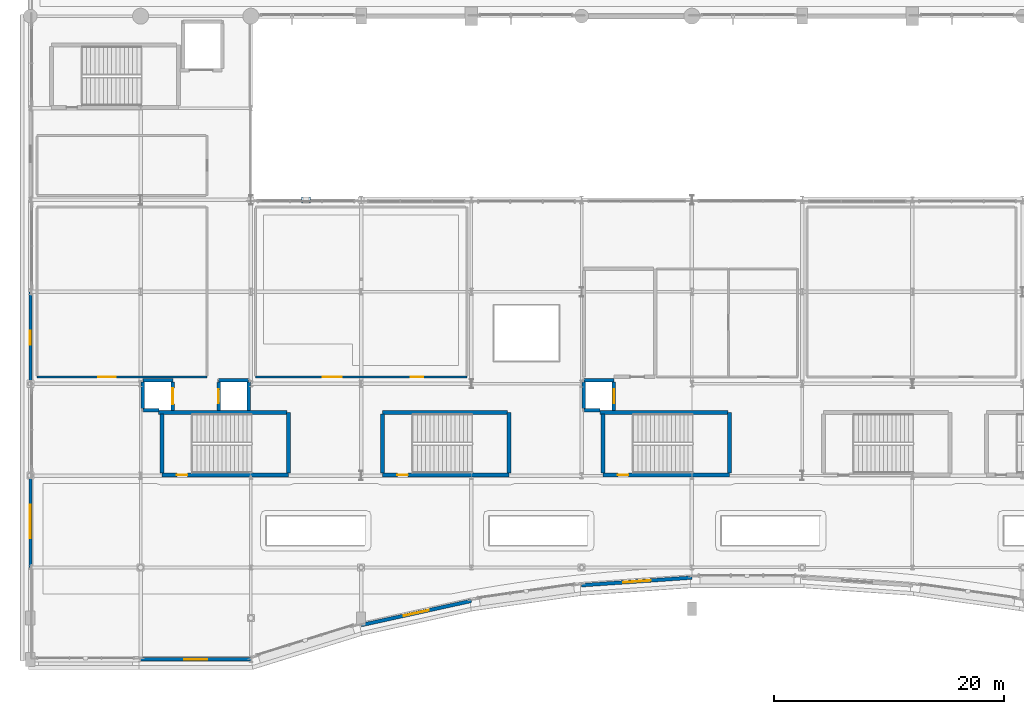
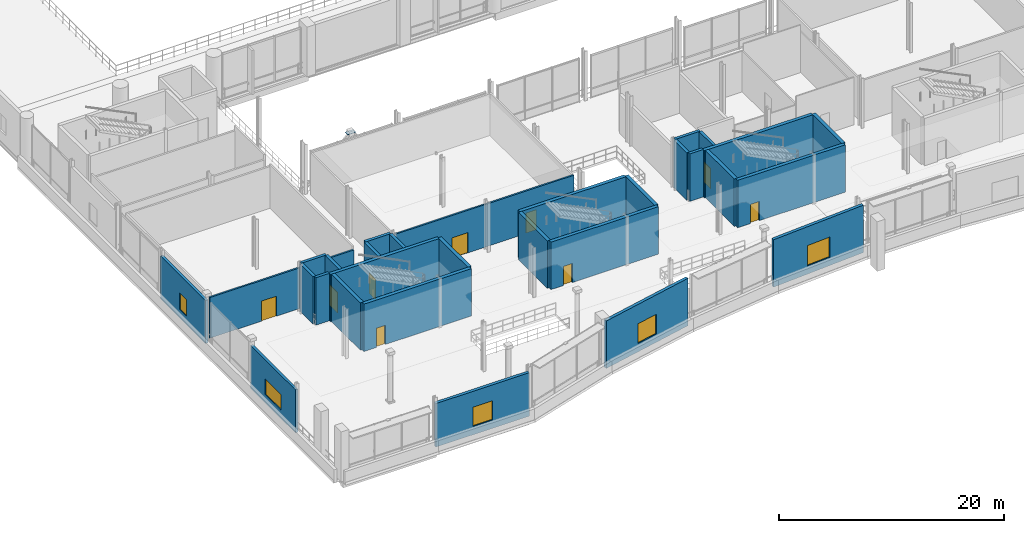
# One storey, part 75 of 129: 30 walls, 9 doors, 5 windows, 1 plate, 14 openings.
"""IFC4 building model written with IfcOpenShell, lengths in metres."""

from ifc_helpers import new_model, si_unit, direction, frame, frame_2d, origin, origin_2d, place, context, subcontext, project, spatial, rectangle, extrude, material, layer, layer_set, type_object, element, fill, save


model = new_model("IFC4")

# Units and contexts
model_context = context("Model", 3, precision=1e-05, world=origin(), true_north=direction((0.0, 1.0)))
body_context = subcontext(model_context, "Body", "Model", "MODEL_VIEW")
ifc_project = project(units=[si_unit("LENGTHUNIT", "METRE"), si_unit("AREAUNIT", "SQUARE_METRE"), si_unit("VOLUMEUNIT", "CUBIC_METRE"), si_unit("PLANEANGLEUNIT", "RADIAN"), si_unit("MASSUNIT", "GRAM", prefix="KILO")], contexts=[model_context])

# Site, building, storey
site_placement = place(None, origin())
site = spatial("IfcSite", under=ifc_project, at=site_placement, CompositionType="ELEMENT")
building_placement = place(site_placement, origin())
building = spatial("IfcBuilding", under=site, at=building_placement, Name="Danafjord Basin Convention Centre", CompositionType="ELEMENT")
storey_placement = place(building_placement, frame((0.0, 0.0, 6.0)))
storey = spatial("IfcBuildingStorey", under=building, at=storey_placement, Name="L01", CompositionType="ELEMENT", Elevation=6.0)

# Plate
ifc_material_1 = material(Name="Steel S355", Category="steel")
ifc_layer_1 = layer(ifc_material_1, 0.030029296875)
ifc_layer_set_1 = layer_set([ifc_layer_1], Name="Steel S355")
plate_type = type_object("IfcPlateType", Name="PLT-TN-30", PredefinedType="SHEET", material=ifc_layer_set_1)
plate_placement = place(storey_placement, frame((24.0, 40.0, 4.78515625), z_axis=(0.0, 0.0, 1.0), x_axis=(1.0, 0.0, 0.0)))
element("IfcPlate", 1, at=plate_placement, inside=storey, type_object=plate_type, Name="L01 chevron apex gusset plate", PredefinedType="SHEET", context=body_context, shape_type="SweptSolid", body=[
    extrude(rectangle(XDim=0.800048828125, YDim=0.5, at=origin_2d()), origin(), (0.0, 0.0, 1.0), 0.030029296875),
])

# Walls
ifc_material_2 = material(Name="Concrete C40/50", Category="concrete")
ifc_layer_2 = layer(ifc_material_2, 0.300048828125)
ifc_layer_set_2 = layer_set([ifc_layer_2], Name="Concrete C40/50")
wall_type_1 = type_object("IfcWallType", Name="WALL-CW-CORE300", PredefinedType="SHEAR", material=ifc_layer_set_2)
wall_1_placement = place(storey_placement, frame((12.39990234375, 24.300048828125, 0.0), z_axis=(0.0, 0.0, 1.0), x_axis=(-1.0, 0.0, 0.0)))
element("IfcWall", 2, at=wall_1_placement, inside=storey, type_object=wall_type_1, Name="Lift LF-FF01 shaft shear wall", PredefinedType="SHEAR", context=body_context, shape_type="SweptSolid", body=[
    extrude(rectangle(XDim=2.599853515625, YDim=0.300048828125, at=frame_2d((1.2998046875, 0.0))), origin(), (0.0, 0.0, 1.0), 5.14990234375),
])
wall_2_placement = place(storey_placement, frame((9.800048828125, 21.699951171875, 0.0), z_axis=(0.0, 0.0, 1.0), x_axis=(1.0, 0.0, 0.0)))
element("IfcWall", 3, at=wall_2_placement, inside=storey, type_object=wall_type_1, Name="Lift LF-FF01 shaft shear wall", PredefinedType="SHEAR", context=body_context, shape_type="SweptSolid", body=[
    extrude(rectangle(XDim=1.39990234375, YDim=0.300048828125, at=frame_2d((0.699951171875, 0.0))), origin(), (0.0, 0.0, 1.0), 5.14990234375),
])

# Wall, opening, door
wall_3_placement = place(storey_placement, frame((12.39990234375, 21.6650390625, 0.0), z_axis=(0.0, 0.0, 1.0), x_axis=(0.0, 1.0, 0.0)))
wall_3 = element("IfcWall", 4, at=wall_3_placement, inside=storey, type_object=wall_type_1, Name="Lift LF-FF01 shaft shear wall", PredefinedType="SHEAR", context=body_context, shape_type="SweptSolid", body=[
    extrude(rectangle(XDim=2.5, YDim=0.300048828125, at=frame_2d((1.25, 0.0))), origin(), (0.0, 0.0, 1.0), 5.14990234375),
])
opening_1_placement = place(wall_3_placement, frame((0.550048828125, 0.0, 0.0)))
opening_1 = element("IfcOpeningElement", 5, at=opening_1_placement, cuts=wall_3, Name="Opening LD-F01", PredefinedType="OPENING", context=body_context, shape_type="SweptSolid", body=[
    extrude(rectangle(XDim=1.39990234375, YDim=2.260009765625, at=frame_2d((0.699951171875, 1.1298828125))), frame((0.0, 0.159912109375, 0.0), z_axis=(0.0, -1.0, 0.0), x_axis=(1.0, 0.0, 0.0)), (0.0, 0.0, 1.0), 0.320068359375),
])
ifc_material_3 = material(Name="Brushed stainless steel and acoustic laminated glass", Category="steel")
door_type_1 = type_object("IfcDoorType", Name="DOOR-LD-F01", OperationType="DOUBLE_DOOR_SLIDING", PredefinedType="DOOR", material=ifc_material_3)
door_1_placement = place(opening_1_placement, origin())
door_1 = element("IfcDoor", 6, at=door_1_placement, inside=storey, type_object=door_type_1, Name="Lift LF-FF01 L01 Landing Door", OperationType="DOUBLE_DOOR_SLIDING", OverallHeight=2.260009765625, OverallWidth=1.39990234375, PredefinedType="DOOR", context=body_context, shape_type="SweptSolid", body=[
    extrude(rectangle(XDim=1.39990234375, YDim=2.260009765625, at=frame_2d((0.699951171875, 1.1298828125))), frame((0.0, 0.02490234375, 0.0), z_axis=(0.0, -1.0, 0.0), x_axis=(1.0, 0.0, 0.0)), (0.0, 0.0, 1.0), 0.050048828125),
])
fill(opening_1, door_1)

# Walls
wall_4_placement = place(storey_placement, frame((9.800048828125, 24.1650390625, 0.0), z_axis=(0.0, 0.0, 1.0), x_axis=(0.0, -1.0, 0.0)))
element("IfcWall", 7, at=wall_4_placement, inside=storey, type_object=wall_type_1, Name="Lift LF-FF01 shaft shear wall", PredefinedType="SHEAR", context=body_context, shape_type="SweptSolid", body=[
    extrude(rectangle(XDim=2.330078125, YDim=0.300048828125, at=frame_2d((1.1650390625, 0.0))), origin(), (0.0, 0.0, 1.0), 5.14990234375),
])
wall_5_placement = place(storey_placement, frame((19.0, 24.300048828125, 0.0), z_axis=(0.0, 0.0, 1.0), x_axis=(-1.0, 0.0, 0.0)))
element("IfcWall", 8, at=wall_5_placement, inside=storey, type_object=wall_type_1, Name="Lift LF-P01 shaft shear wall", PredefinedType="SHEAR", context=body_context, shape_type="SweptSolid", body=[
    extrude(rectangle(XDim=2.60009765625, YDim=0.300048828125, at=frame_2d((1.300048828125, 0.0))), origin(), (0.0, 0.0, 1.0), 5.14990234375),
])
wall_6_placement = place(storey_placement, frame((19.0, 21.6650390625, 0.0), z_axis=(0.0, 0.0, 1.0), x_axis=(0.0, 1.0, 0.0)))
element("IfcWall", 9, at=wall_6_placement, inside=storey, type_object=wall_type_1, Name="Lift LF-P01 shaft shear wall", PredefinedType="SHEAR", context=body_context, shape_type="SweptSolid", body=[
    extrude(rectangle(XDim=2.5, YDim=0.300048828125, at=frame_2d((1.25, 0.0))), origin(), (0.0, 0.0, 1.0), 5.14990234375),
])

# Wall, opening, door
wall_7_placement = place(storey_placement, frame((16.39990234375, 24.1650390625, 0.0), z_axis=(0.0, 0.0, 1.0), x_axis=(0.0, -1.0, 0.0)))
wall_7 = element("IfcWall", 10, at=wall_7_placement, inside=storey, type_object=wall_type_1, Name="Lift LF-P01 shaft shear wall", PredefinedType="SHEAR", context=body_context, shape_type="SweptSolid", body=[
    extrude(rectangle(XDim=2.5, YDim=0.300048828125, at=frame_2d((1.25, 0.0))), origin(), (0.0, 0.0, 1.0), 5.14990234375),
])
opening_2_placement = place(wall_7_placement, frame((0.64990234375, 0.0, 0.0)))
opening_2 = element("IfcOpeningElement", 11, at=opening_2_placement, cuts=wall_7, Name="Opening LD-P01", PredefinedType="OPENING", context=body_context, shape_type="SweptSolid", body=[
    extrude(rectangle(XDim=1.199951171875, YDim=2.199951171875, at=frame_2d((0.60009765625, 1.10009765625))), frame((0.0, 0.159912109375, 0.0), z_axis=(0.0, -1.0, 0.0), x_axis=(1.0, 0.0, 0.0)), (0.0, 0.0, 1.0), 0.320068359375),
])
door_type_2 = type_object("IfcDoorType", Name="DOOR-LD-P01", OperationType="DOUBLE_DOOR_SLIDING", PredefinedType="DOOR", material=ifc_material_3)
door_2_placement = place(opening_2_placement, origin())
door_2 = element("IfcDoor", 12, at=door_2_placement, inside=storey, type_object=door_type_2, Name="Lift LF-P01 L01 Landing Door", OperationType="DOUBLE_DOOR_SLIDING", OverallHeight=2.199951171875, OverallWidth=1.199951171875, PredefinedType="DOOR", context=body_context, shape_type="SweptSolid", body=[
    extrude(rectangle(XDim=1.199951171875, YDim=2.199951171875, at=frame_2d((0.60009765625, 1.10009765625))), frame((0.0, 0.02490234375, 0.0), z_axis=(0.0, -1.0, 0.0), x_axis=(1.0, 0.0, 0.0)), (0.0, 0.0, 1.0), 0.050048828125),
])
fill(opening_2, door_2)

# Walls
wall_8_placement = place(storey_placement, frame((50.800048828125, 24.300048828125, 0.0), z_axis=(0.0, 0.0, 1.0), x_axis=(-1.0, 0.0, 0.0)))
element("IfcWall", 13, at=wall_8_placement, inside=storey, type_object=wall_type_1, Name="Lift LF-P03 shaft shear wall", PredefinedType="SHEAR", context=body_context, shape_type="SweptSolid", body=[
    extrude(rectangle(XDim=2.60009765625, YDim=0.300048828125, at=frame_2d((1.300048828125, 0.0))), origin(), (0.0, 0.0, 1.0), 5.14990234375),
])
wall_9_placement = place(storey_placement, frame((48.199951171875, 21.699951171875, 0.0), z_axis=(0.0, 0.0, 1.0), x_axis=(1.0, 0.0, 0.0)))
element("IfcWall", 14, at=wall_9_placement, inside=storey, type_object=wall_type_1, Name="Lift LF-P03 shaft shear wall", PredefinedType="SHEAR", context=body_context, shape_type="SweptSolid", body=[
    extrude(rectangle(XDim=1.400146484375, YDim=0.300048828125, at=frame_2d((0.7001953125, 0.0))), origin(), (0.0, 0.0, 1.0), 5.14990234375),
])

# Wall, opening, door
wall_10_placement = place(storey_placement, frame((50.800048828125, 21.6650390625, 0.0), z_axis=(0.0, 0.0, 1.0), x_axis=(0.0, 1.0, 0.0)))
wall_10 = element("IfcWall", 15, at=wall_10_placement, inside=storey, type_object=wall_type_1, Name="Lift LF-P03 shaft shear wall", PredefinedType="SHEAR", context=body_context, shape_type="SweptSolid", body=[
    extrude(rectangle(XDim=2.5, YDim=0.300048828125, at=frame_2d((1.25, 0.0))), origin(), (0.0, 0.0, 1.0), 5.14990234375),
])
opening_3_placement = place(wall_10_placement, frame((0.64990234375, 0.0, 0.0)))
opening_3 = element("IfcOpeningElement", 16, at=opening_3_placement, cuts=wall_10, Name="Opening LD-P01", PredefinedType="OPENING", context=body_context, shape_type="SweptSolid", body=[
    extrude(rectangle(XDim=1.199951171875, YDim=2.199951171875, at=frame_2d((0.60009765625, 1.10009765625))), frame((0.0, 0.159912109375, 0.0), z_axis=(0.0, -1.0, 0.0), x_axis=(1.0, 0.0, 0.0)), (0.0, 0.0, 1.0), 0.320068359375),
])
door_3_placement = place(opening_3_placement, origin())
door_3 = element("IfcDoor", 17, at=door_3_placement, inside=storey, type_object=door_type_2, Name="Lift LF-P03 L01 Landing Door", OperationType="DOUBLE_DOOR_SLIDING", OverallHeight=2.199951171875, OverallWidth=1.199951171875, PredefinedType="DOOR", context=body_context, shape_type="SweptSolid", body=[
    extrude(rectangle(XDim=1.199951171875, YDim=2.199951171875, at=frame_2d((0.60009765625, 1.10009765625))), frame((0.0, 0.02490234375, 0.0), z_axis=(0.0, -1.0, 0.0), x_axis=(1.0, 0.0, 0.0)), (0.0, 0.0, 1.0), 0.050048828125),
])
fill(opening_3, door_3)

# Wall
wall_11_placement = place(storey_placement, frame((48.199951171875, 24.1650390625, 0.0), z_axis=(0.0, 0.0, 1.0), x_axis=(0.0, -1.0, 0.0)))
element("IfcWall", 18, at=wall_11_placement, inside=storey, type_object=wall_type_1, Name="Lift LF-P03 shaft shear wall", PredefinedType="SHEAR", context=body_context, shape_type="SweptSolid", body=[
    extrude(rectangle(XDim=2.330078125, YDim=0.300048828125, at=frame_2d((1.1650390625, 0.0))), origin(), (0.0, 0.0, 1.0), 5.14990234375),
])

# Wall, opening, door
ifc_material_4 = material(Name="Concrete C45/55", Category="concrete")
ifc_layer_3 = layer(ifc_material_4, 0.35009765625)
ifc_layer_set_3 = layer_set([ifc_layer_3], Name="Concrete C45/55")
wall_type_2 = type_object("IfcWallType", Name="WALL-CW-CORE350", PredefinedType="SHEAR", material=ifc_layer_set_3)
wall_12_placement = place(storey_placement, frame((11.449951171875, 16.050048828125, 0.0), z_axis=(0.0, 0.0, 1.0), x_axis=(1.0, 0.0, 0.0)))
wall_12 = element("IfcWall", 19, at=wall_12_placement, inside=storey, type_object=wall_type_2, Name="West Harbour Core Stair 1 core shear wall (south)", PredefinedType="SHEAR", context=body_context, shape_type="SweptSolid", body=[
    extrude(rectangle(XDim=11.0400390625, YDim=0.35009765625, at=frame_2d((5.52001953125, 0.0))), origin(), (0.0, 0.0, 1.0), 5.14990234375),
])
opening_4_placement = place(wall_12_placement, frame((1.31201171875, 0.0, 0.0)))
opening_4 = element("IfcOpeningElement", 20, at=opening_4_placement, cuts=wall_12, Name="Opening FD-S01", PredefinedType="OPENING", context=body_context, shape_type="SweptSolid", body=[
    extrude(rectangle(XDim=0.909912109375, YDim=2.080078125, at=frame_2d((0.455078125, 1.0400390625))), frame((0.0, 0.18505859375, 0.0), z_axis=(0.0, -1.0, 0.0), x_axis=(1.0, 0.0, 0.0)), (0.0, 0.0, 1.0), 0.3701171875),
])
ifc_material_5 = material(Name="Powder-coated steel and Nordic oak", Category="steel")
door_type_3 = type_object("IfcDoorType", Name="DOOR-FD-S01", OperationType="NOTDEFINED", PredefinedType="DOOR", material=ifc_material_5)
door_4_placement = place(opening_4_placement, origin())
door_4 = element("IfcDoor", 21, at=door_4_placement, inside=storey, type_object=door_type_3, Name="West Harbour Core Stair 1 L01 Fire Exit Door", OperationType="SINGLE_SWING_LEFT", OverallHeight=2.080078125, OverallWidth=0.909912109375, PredefinedType="DOOR", context=body_context, shape_type="SweptSolid", body=[
    extrude(rectangle(XDim=0.909912109375, YDim=2.080078125, at=frame_2d((0.455078125, 1.0400390625))), frame((0.0, 0.02490234375, 0.0), z_axis=(0.0, -1.0, 0.0), x_axis=(1.0, 0.0, 0.0)), (0.0, 0.0, 1.0), 0.050048828125),
])
fill(opening_4, door_4)

# Walls
wall_13_placement = place(storey_placement, frame((22.489990234375, 16.2099609375, 0.0), z_axis=(0.0, 0.0, 1.0), x_axis=(0.0, 1.0, 0.0)))
element("IfcWall", 22, at=wall_13_placement, inside=storey, type_object=wall_type_2, Name="West Harbour Core Stair 1 core shear wall (east)", PredefinedType="SHEAR", context=body_context, shape_type="SweptSolid", body=[
    extrude(rectangle(XDim=5.300048828125, YDim=0.35009765625, at=frame_2d((2.64990234375, 0.0))), origin(), (0.0, 0.0, 1.0), 5.14990234375),
])
wall_14_placement = place(storey_placement, frame((22.330078125, 21.510009765625, 0.0), z_axis=(0.0, 0.0, 1.0), x_axis=(-1.0, 0.0, 0.0)))
element("IfcWall", 23, at=wall_14_placement, inside=storey, type_object=wall_type_2, Name="West Harbour Core Stair 1 core shear wall (north)", PredefinedType="SHEAR", context=body_context, shape_type="SweptSolid", body=[
    extrude(rectangle(XDim=11.150146484375, YDim=0.35009765625, at=frame_2d((5.5751953125, 0.0))), origin(), (0.0, 0.0, 1.0), 5.14990234375),
])
wall_15_placement = place(storey_placement, frame((11.449951171875, 21.35009765625, 0.0), z_axis=(0.0, 0.0, 1.0), x_axis=(0.0, -1.0, 0.0)))
element("IfcWall", 24, at=wall_15_placement, inside=storey, type_object=wall_type_2, Name="West Harbour Core Stair 1 core shear wall (west)", PredefinedType="SHEAR", context=body_context, shape_type="SweptSolid", body=[
    extrude(rectangle(XDim=5.14013671875, YDim=0.35009765625, at=frame_2d((2.570068359375, 0.0))), origin(), (0.0, 0.0, 1.0), 5.14990234375),
])

# Wall, opening, door
wall_16_placement = place(storey_placement, frame((49.85009765625, 16.050048828125, 0.0), z_axis=(0.0, 0.0, 1.0), x_axis=(1.0, 0.0, 0.0)))
wall_16 = element("IfcWall", 25, at=wall_16_placement, inside=storey, type_object=wall_type_2, Name="Mid-Arc Meeting Core Stair 1 core shear wall (south)", PredefinedType="SHEAR", context=body_context, shape_type="SweptSolid", body=[
    extrude(rectangle(XDim=11.039794921875, YDim=0.35009765625, at=frame_2d((5.52001953125, 0.0))), origin(), (0.0, 0.0, 1.0), 5.14990234375),
])
opening_5_placement = place(wall_16_placement, frame((1.31201171875, 0.0, 0.0)))
opening_5 = element("IfcOpeningElement", 26, at=opening_5_placement, cuts=wall_16, Name="Opening FD-S01", PredefinedType="OPENING", context=body_context, shape_type="SweptSolid", body=[
    extrude(rectangle(XDim=0.909912109375, YDim=2.080078125, at=frame_2d((0.455078125, 1.0400390625))), frame((0.0, 0.18505859375, 0.0), z_axis=(0.0, -1.0, 0.0), x_axis=(1.0, 0.0, 0.0)), (0.0, 0.0, 1.0), 0.3701171875),
])
door_5_placement = place(opening_5_placement, origin())
door_5 = element("IfcDoor", 27, at=door_5_placement, inside=storey, type_object=door_type_3, Name="Mid-Arc Meeting Core Stair 1 L01 Fire Exit Door", OperationType="SINGLE_SWING_LEFT", OverallHeight=2.080078125, OverallWidth=0.909912109375, PredefinedType="DOOR", context=body_context, shape_type="SweptSolid", body=[
    extrude(rectangle(XDim=0.909912109375, YDim=2.080078125, at=frame_2d((0.455078125, 1.0400390625))), frame((0.0, 0.02490234375, 0.0), z_axis=(0.0, -1.0, 0.0), x_axis=(1.0, 0.0, 0.0)), (0.0, 0.0, 1.0), 0.050048828125),
])
fill(opening_5, door_5)

# Walls
wall_17_placement = place(storey_placement, frame((60.889892578125, 16.2099609375, 0.0), z_axis=(0.0, 0.0, 1.0), x_axis=(0.0, 1.0, 0.0)))
element("IfcWall", 28, at=wall_17_placement, inside=storey, type_object=wall_type_2, Name="Mid-Arc Meeting Core Stair 1 core shear wall (east)", PredefinedType="SHEAR", context=body_context, shape_type="SweptSolid", body=[
    extrude(rectangle(XDim=5.300048828125, YDim=0.35009765625, at=frame_2d((2.64990234375, 0.0))), origin(), (0.0, 0.0, 1.0), 5.14990234375),
])
wall_18_placement = place(storey_placement, frame((60.72998046875, 21.510009765625, 0.0), z_axis=(0.0, 0.0, 1.0), x_axis=(-1.0, 0.0, 0.0)))
element("IfcWall", 29, at=wall_18_placement, inside=storey, type_object=wall_type_2, Name="Mid-Arc Meeting Core Stair 1 core shear wall (north)", PredefinedType="SHEAR", context=body_context, shape_type="SweptSolid", body=[
    extrude(rectangle(XDim=11.14990234375, YDim=0.35009765625, at=frame_2d((5.574951171875, 0.0))), origin(), (0.0, 0.0, 1.0), 5.14990234375),
])
wall_19_placement = place(storey_placement, frame((49.85009765625, 21.35009765625, 0.0), z_axis=(0.0, 0.0, 1.0), x_axis=(0.0, -1.0, 0.0)))
element("IfcWall", 30, at=wall_19_placement, inside=storey, type_object=wall_type_2, Name="Mid-Arc Meeting Core Stair 1 core shear wall (west)", PredefinedType="SHEAR", context=body_context, shape_type="SweptSolid", body=[
    extrude(rectangle(XDim=5.14013671875, YDim=0.35009765625, at=frame_2d((2.570068359375, 0.0))), origin(), (0.0, 0.0, 1.0), 5.14990234375),
])

# Wall, opening, door
wall_20_placement = place(storey_placement, frame((30.64990234375, 16.050048828125, 0.0), z_axis=(0.0, 0.0, 1.0), x_axis=(1.0, 0.0, 0.0)))
wall_20 = element("IfcWall", 31, at=wall_20_placement, inside=storey, type_object=wall_type_2, Name="West Harbour Escape Stair 2 core shear wall (south)", PredefinedType="SHEAR", context=body_context, shape_type="SweptSolid", body=[
    extrude(rectangle(XDim=11.0400390625, YDim=0.35009765625, at=frame_2d((5.52001953125, 0.0))), origin(), (0.0, 0.0, 1.0), 5.14990234375),
])
opening_6_placement = place(wall_20_placement, frame((1.31201171875, 0.0, 0.0)))
opening_6 = element("IfcOpeningElement", 32, at=opening_6_placement, cuts=wall_20, Name="Opening FD-S01", PredefinedType="OPENING", context=body_context, shape_type="SweptSolid", body=[
    extrude(rectangle(XDim=0.909912109375, YDim=2.080078125, at=frame_2d((0.455078125, 1.0400390625))), frame((0.0, 0.18505859375, 0.0), z_axis=(0.0, -1.0, 0.0), x_axis=(1.0, 0.0, 0.0)), (0.0, 0.0, 1.0), 0.3701171875),
])
door_6_placement = place(opening_6_placement, origin())
door_6 = element("IfcDoor", 33, at=door_6_placement, inside=storey, type_object=door_type_3, Name="West Harbour Escape Stair 2 L01 Fire Exit Door", OperationType="SINGLE_SWING_RIGHT", OverallHeight=2.080078125, OverallWidth=0.909912109375, PredefinedType="DOOR", context=body_context, shape_type="SweptSolid", body=[
    extrude(rectangle(XDim=0.909912109375, YDim=2.080078125, at=frame_2d((0.455078125, 1.0400390625))), frame((0.0, 0.02490234375, 0.0), z_axis=(0.0, -1.0, 0.0), x_axis=(1.0, 0.0, 0.0)), (0.0, 0.0, 1.0), 0.050048828125),
])
fill(opening_6, door_6)

# Walls
wall_21_placement = place(storey_placement, frame((41.68994140625, 16.2099609375, 0.0), z_axis=(0.0, 0.0, 1.0), x_axis=(0.0, 1.0, 0.0)))
element("IfcWall", 34, at=wall_21_placement, inside=storey, type_object=wall_type_2, Name="West Harbour Escape Stair 2 core shear wall (east)", PredefinedType="SHEAR", context=body_context, shape_type="SweptSolid", body=[
    extrude(rectangle(XDim=5.300048828125, YDim=0.35009765625, at=frame_2d((2.64990234375, 0.0))), origin(), (0.0, 0.0, 1.0), 5.14990234375),
])
wall_22_placement = place(storey_placement, frame((41.530029296875, 21.510009765625, 0.0), z_axis=(0.0, 0.0, 1.0), x_axis=(-1.0, 0.0, 0.0)))
element("IfcWall", 35, at=wall_22_placement, inside=storey, type_object=wall_type_2, Name="West Harbour Escape Stair 2 core shear wall (north)", PredefinedType="SHEAR", context=body_context, shape_type="SweptSolid", body=[
    extrude(rectangle(XDim=10.880126953125, YDim=0.35009765625, at=frame_2d((5.43994140625, 0.0))), origin(), (0.0, 0.0, 1.0), 5.14990234375),
])
wall_23_placement = place(storey_placement, frame((30.64990234375, 21.35009765625, 0.0), z_axis=(0.0, 0.0, 1.0), x_axis=(0.0, -1.0, 0.0)))
element("IfcWall", 36, at=wall_23_placement, inside=storey, type_object=wall_type_2, Name="West Harbour Escape Stair 2 core shear wall (west)", PredefinedType="SHEAR", context=body_context, shape_type="SweptSolid", body=[
    extrude(rectangle(XDim=5.14013671875, YDim=0.35009765625, at=frame_2d((2.570068359375, 0.0))), origin(), (0.0, 0.0, 1.0), 5.14990234375),
])

# Wall, opening, window
ifc_material_6 = material(Name="Precast concrete C40/50", Category="concrete")
ifc_layer_4 = layer(ifc_material_6, 0.31005859375)
ifc_layer_set_4 = layer_set([ifc_layer_4], Name="Precast concrete C40/50")
wall_type_3 = type_object("IfcWallType", Name="WALL-EW-PC300", PredefinedType="SOLIDWALL", material=ifc_layer_set_4)
wall_24_placement = place(storey_placement, frame((9.60009765625, 0.0, 0.0), z_axis=(0.0, 0.0, 1.0), x_axis=(1.0, 0.0, 0.0)))
wall_24 = element("IfcWall", 37, at=wall_24_placement, inside=storey, type_object=wall_type_3, Name="L01 harbourfront precast facade bay 2", PredefinedType="SOLIDWALL", context=body_context, shape_type="SweptSolid", body=[
    extrude(rectangle(XDim=9.599853515625, YDim=0.31005859375, at=frame_2d((4.7998046875, 0.0))), origin(), (0.0, 0.0, 1.0), 4.719970703125),
])
opening_7_placement = place(wall_24_placement, frame((3.800048828125, 0.0, 0.89990234375)))
opening_7 = element("IfcOpeningElement", 38, at=opening_7_placement, cuts=wall_24, Name="Opening WN-05", PredefinedType="OPENING", context=body_context, shape_type="SweptSolid", body=[
    extrude(rectangle(XDim=2.0, YDim=2.10009765625, at=frame_2d((1.0, 1.050048828125))), frame((0.0, 0.1650390625, 0.0), z_axis=(0.0, -1.0, 0.0), x_axis=(1.0, 0.0, 0.0)), (0.0, 0.0, 1.0), 0.330078125),
])
ifc_material_7 = material(Name="Thermally broken aluminium and triple low-E glass", Category="aluminium")
window_type_1 = type_object("IfcWindowType", Name="WIN-WN-05", PartitioningType="SINGLE_PANEL", PredefinedType="WINDOW", material=ifc_material_7)
window_1_placement = place(opening_7_placement, origin())
window_1 = element("IfcWindow", 39, at=window_1_placement, inside=storey, type_object=window_type_1, Name="L01 harbour window WN-05", OverallHeight=2.10009765625, OverallWidth=2.0, PartitioningType="SINGLE_PANEL", PredefinedType="WINDOW", context=body_context, shape_type="SweptSolid", body=[
    extrude(rectangle(XDim=2.0, YDim=2.10009765625, at=frame_2d((1.0, 1.050048828125))), frame((0.0, 0.030029296875, 0.0), z_axis=(0.0, -1.0, 0.0), x_axis=(1.0, 0.0, 0.0)), (0.0, 0.0, 1.0), 0.06005859375),
])
fill(opening_7, window_1)

wall_25_placement = place(storey_placement, frame((28.800048828125, 2.97998046875, 0.0), z_axis=(0.0, 0.0, 1.0), x_axis=(0.976621632998, 0.214965545983, 0.0)))
wall_25 = element("IfcWall", 40, at=wall_25_placement, inside=storey, type_object=wall_type_3, Name="L01 harbourfront precast facade bay 4", PredefinedType="SOLIDWALL", context=body_context, shape_type="SweptSolid", body=[
    extrude(rectangle(XDim=9.82958984375, YDim=0.31005859375, at=frame_2d((4.914794921875, 0.0))), origin(), (0.0, 0.0, 1.0), 5.14990234375),
])
opening_8_placement = place(wall_25_placement, frame((3.81494140625, 0.0, 0.89990234375)))
opening_8 = element("IfcOpeningElement", 41, at=opening_8_placement, cuts=wall_25, Name="Opening WN-06", PredefinedType="OPENING", context=body_context, shape_type="SweptSolid", body=[
    extrude(rectangle(XDim=2.199951171875, YDim=2.14990234375, at=frame_2d((1.10009765625, 1.074951171875))), frame((0.0, 0.1650390625, 0.0), z_axis=(0.0, -1.0, 0.0), x_axis=(1.0, 0.0, 0.0)), (0.0, 0.0, 1.0), 0.330078125),
])
window_type_2 = type_object("IfcWindowType", Name="WIN-WN-06", PartitioningType="SINGLE_PANEL", PredefinedType="WINDOW", material=ifc_material_7)
window_2_placement = place(opening_8_placement, origin())
window_2 = element("IfcWindow", 42, at=window_2_placement, inside=storey, type_object=window_type_2, Name="L01 harbour window WN-06", OverallHeight=2.14990234375, OverallWidth=2.199951171875, PartitioningType="SINGLE_PANEL", PredefinedType="WINDOW", context=body_context, shape_type="SweptSolid", body=[
    extrude(rectangle(XDim=2.199951171875, YDim=2.14990234375, at=frame_2d((1.10009765625, 1.074951171875))), frame((0.0, 0.030029296875, 0.0), z_axis=(0.0, -1.0, 0.0), x_axis=(1.0, 0.0, 0.0)), (0.0, 0.0, 1.0), 0.06005859375),
])
fill(opening_8, window_2)

wall_26_placement = place(storey_placement, frame((48.0, 6.451904296875, 0.0), z_axis=(0.0, 0.0, 1.0), x_axis=(0.99760914447, 0.069108573052, 0.0)))
wall_26 = element("IfcWall", 43, at=wall_26_placement, inside=storey, type_object=wall_type_3, Name="L01 harbourfront precast facade bay 6", PredefinedType="SOLIDWALL", context=body_context, shape_type="SweptSolid", body=[
    extrude(rectangle(XDim=9.623046875, YDim=0.31005859375, at=frame_2d((4.8115234375, 0.0))), origin(), (0.0, 0.0, 1.0), 5.14990234375),
])
opening_9_placement = place(wall_26_placement, frame((3.612060546875, 0.0, 0.89990234375)))
opening_9 = element("IfcOpeningElement", 44, at=opening_9_placement, cuts=wall_26, Name="Opening WN-07", PredefinedType="OPENING", context=body_context, shape_type="SweptSolid", body=[
    extrude(rectangle(XDim=2.39990234375, YDim=2.199951171875, at=frame_2d((1.199951171875, 1.10009765625))), frame((0.0, 0.1650390625, 0.0), z_axis=(0.0, -1.0, 0.0), x_axis=(1.0, 0.0, 0.0)), (0.0, 0.0, 1.0), 0.330078125),
])
window_type_3 = type_object("IfcWindowType", Name="WIN-WN-07", PartitioningType="SINGLE_PANEL", PredefinedType="WINDOW", material=ifc_material_7)
window_3_placement = place(opening_9_placement, origin())
window_3 = element("IfcWindow", 45, at=window_3_placement, inside=storey, type_object=window_type_3, Name="L01 harbour window WN-07", OverallHeight=2.199951171875, OverallWidth=2.39990234375, PartitioningType="SINGLE_PANEL", PredefinedType="WINDOW", context=body_context, shape_type="SweptSolid", body=[
    extrude(rectangle(XDim=2.39990234375, YDim=2.199951171875, at=frame_2d((1.199951171875, 1.10009765625))), frame((0.0, 0.030029296875, 0.0), z_axis=(0.0, -1.0, 0.0), x_axis=(1.0, 0.0, 0.0)), (0.0, 0.0, 1.0), 0.06005859375),
])
fill(opening_9, window_3)

ifc_material_8 = material(Name="Concrete C35/45", Category="concrete")
ifc_layer_5 = layer(ifc_material_8, 0.260009765625)
ifc_layer_set_5 = layer_set([ifc_layer_5], Name="Concrete C35/45")
wall_type_4 = type_object("IfcWallType", Name="WALL-EW-STD260", PredefinedType="STANDARD", material=ifc_layer_set_5)
wall_27_placement = place(storey_placement, frame((0.0, 8.0, 0.0), z_axis=(0.0, 0.0, 1.0), x_axis=(0.0, 1.0, 0.0)))
wall_27 = element("IfcWall", 46, at=wall_27_placement, inside=storey, type_object=wall_type_4, Name="L01 W wing facade wall", PredefinedType="STANDARD", context=body_context, shape_type="SweptSolid", body=[
    extrude(rectangle(XDim=8.0, YDim=0.260009765625, at=frame_2d((4.0, 0.0))), origin(), (0.0, 0.0, 1.0), 4.669921875),
])
opening_10_placement = place(wall_27_placement, frame((2.550048828125, 0.0, 0.89990234375)))
opening_10 = element("IfcOpeningElement", 47, at=opening_10_placement, cuts=wall_27, Name="Opening WN-18", PredefinedType="OPENING", context=body_context, shape_type="SweptSolid", body=[
    extrude(rectangle(XDim=2.89990234375, YDim=1.699951171875, at=frame_2d((1.449951171875, 0.85009765625))), frame((0.0, 0.139892578125, 0.0), z_axis=(0.0, -1.0, 0.0), x_axis=(1.0, 0.0, 0.0)), (0.0, 0.0, 1.0), 0.280029296875),
])
window_type_4 = type_object("IfcWindowType", Name="WIN-WN-18", PartitioningType="SINGLE_PANEL", PredefinedType="WINDOW", material=ifc_material_7)
window_4_placement = place(opening_10_placement, origin())
window_4 = element("IfcWindow", 48, at=window_4_placement, inside=storey, type_object=window_type_4, Name="L01 W window WN-18", OverallHeight=1.699951171875, OverallWidth=2.89990234375, PartitioningType="SINGLE_PANEL", PredefinedType="WINDOW", context=body_context, shape_type="SweptSolid", body=[
    extrude(rectangle(XDim=2.89990234375, YDim=1.699951171875, at=frame_2d((1.449951171875, 0.85009765625))), frame((0.0, 0.030029296875, 0.0), z_axis=(0.0, -1.0, 0.0), x_axis=(1.0, 0.0, 0.0)), (0.0, 0.0, 1.0), 0.06005859375),
])
fill(opening_10, window_4)

wall_28_placement = place(storey_placement, frame((0.0, 24.0, 0.0), z_axis=(0.0, 0.0, 1.0), x_axis=(0.0, 1.0, 0.0)))
wall_28 = element("IfcWall", 49, at=wall_28_placement, inside=storey, type_object=wall_type_4, Name="L01 W wing facade wall", PredefinedType="STANDARD", context=body_context, shape_type="SweptSolid", body=[
    extrude(rectangle(XDim=8.0, YDim=0.260009765625, at=frame_2d((4.0, 0.0))), origin(), (0.0, 0.0, 1.0), 4.669921875),
])
opening_11_placement = place(wall_28_placement, frame((3.39990234375, 0.0, 0.89990234375)))
opening_11 = element("IfcOpeningElement", 50, at=opening_11_placement, cuts=wall_28, Name="Opening WN-01", PredefinedType="OPENING", context=body_context, shape_type="SweptSolid", body=[
    extrude(rectangle(XDim=1.199951171875, YDim=1.800048828125, at=frame_2d((0.60009765625, 0.89990234375))), frame((0.0, 0.139892578125, 0.0), z_axis=(0.0, -1.0, 0.0), x_axis=(1.0, 0.0, 0.0)), (0.0, 0.0, 1.0), 0.280029296875),
])
window_type_5 = type_object("IfcWindowType", Name="WIN-WN-01", PartitioningType="SINGLE_PANEL", PredefinedType="WINDOW", material=ifc_material_7)
window_5_placement = place(opening_11_placement, origin())
window_5 = element("IfcWindow", 51, at=window_5_placement, inside=storey, type_object=window_type_5, Name="L01 W window WN-01", OverallHeight=1.800048828125, OverallWidth=1.199951171875, PartitioningType="SINGLE_PANEL", PredefinedType="WINDOW", context=body_context, shape_type="SweptSolid", body=[
    extrude(rectangle(XDim=1.199951171875, YDim=1.800048828125, at=frame_2d((0.60009765625, 0.89990234375))), frame((0.0, 0.030029296875, 0.0), z_axis=(0.0, -1.0, 0.0), x_axis=(1.0, 0.0, 0.0)), (0.0, 0.0, 1.0), 0.06005859375),
])
fill(opening_11, window_5)

# Wall, opening, door
ifc_material_9 = material(Name="Acoustic double-board gypsum stud partition")
ifc_layer_6 = layer(ifc_material_9, 0.175048828125)
ifc_layer_set_6 = layer_set([ifc_layer_6], Name="Acoustic double-board gypsum stud partition")
wall_type_5 = type_object("IfcWallType", Name="WALL-PT-AC175", PredefinedType="PARTITIONING", material=ifc_layer_set_6)
wall_29_placement = place(storey_placement, frame((0.60009765625, 24.60009765625, 0.0), z_axis=(0.0, 0.0, 1.0), x_axis=(1.0, 0.0, 0.0)))
wall_29 = element("IfcWall", 52, at=wall_29_placement, inside=storey, type_object=wall_type_5, Name="Breakout Seminar Room M101 south partition", PredefinedType="PARTITIONING", context=body_context, shape_type="SweptSolid", body=[
    extrude(rectangle(XDim=14.7998046875, YDim=0.175048828125, at=frame_2d((7.39990234375, 0.0))), origin(), (0.0, 0.0, 1.0), 4.419921875),
])
opening_12_placement = place(wall_29_placement, frame((5.2958984375, 0.0, 0.0)))
opening_12 = element("IfcOpeningElement", 53, at=opening_12_placement, cuts=wall_29, Name="Opening FD-D01", PredefinedType="OPENING", context=body_context, shape_type="SweptSolid", body=[
    extrude(rectangle(XDim=1.56005859375, YDim=2.179931640625, at=frame_2d((0.780029296875, 1.08984375))), frame((0.0, 0.097412109375, 0.0), z_axis=(0.0, -1.0, 0.0), x_axis=(1.0, 0.0, 0.0)), (0.0, 0.0, 1.0), 0.195068359375),
])
door_type_4 = type_object("IfcDoorType", Name="DOOR-FD-D01", OperationType="DOUBLE_DOOR_SINGLE_SWING", PredefinedType="DOOR", material=ifc_material_3)
door_7_placement = place(opening_12_placement, origin())
door_7 = element("IfcDoor", 54, at=door_7_placement, inside=storey, type_object=door_type_4, Name="Breakout Seminar Room M101 Entrance Door", OperationType="DOUBLE_DOOR_SINGLE_SWING", OverallHeight=2.179931640625, OverallWidth=1.56005859375, PredefinedType="DOOR", context=body_context, shape_type="SweptSolid", body=[
    extrude(rectangle(XDim=1.56005859375, YDim=2.179931640625, at=frame_2d((0.780029296875, 1.08984375))), frame((0.0, 0.02490234375, 0.0), z_axis=(0.0, -1.0, 0.0), x_axis=(1.0, 0.0, 0.0)), (0.0, 0.0, 1.0), 0.050048828125),
])
fill(opening_12, door_7)

# Wall, openings, doors
wall_30_placement = place(storey_placement, frame((19.60009765625, 24.60009765625, 0.0), z_axis=(0.0, 0.0, 1.0), x_axis=(1.0, 0.0, 0.0)))
wall_30 = element("IfcWall", 55, at=wall_30_placement, inside=storey, type_object=wall_type_5, Name="Breakout Seminar Room M102 south partition", PredefinedType="PARTITIONING", context=body_context, shape_type="SweptSolid", body=[
    extrude(rectangle(XDim=18.39990234375, YDim=0.175048828125, at=frame_2d((9.199951171875, 0.0))), origin(), (0.0, 0.0, 1.0), 4.6201171875),
])
opening_13_placement = place(wall_30_placement, frame((5.865966796875, 0.0, 0.0)))
opening_13 = element("IfcOpeningElement", 56, at=opening_13_placement, cuts=wall_30, Name="Opening FD-D02", PredefinedType="OPENING", context=body_context, shape_type="SweptSolid", body=[
    extrude(rectangle(XDim=1.639892578125, YDim=2.199951171875, at=frame_2d((0.81982421875, 1.10009765625))), frame((0.0, 0.097412109375, 0.0), z_axis=(0.0, -1.0, 0.0), x_axis=(1.0, 0.0, 0.0)), (0.0, 0.0, 1.0), 0.195068359375),
])
opening_14_placement = place(wall_30_placement, frame((13.501953125, 0.0, 0.0)))
opening_14 = element("IfcOpeningElement", 57, at=opening_14_placement, cuts=wall_30, Name="Opening FD-S07", PredefinedType="OPENING", context=body_context, shape_type="SweptSolid", body=[
    extrude(rectangle(XDim=1.090087890625, YDim=2.179931640625, at=frame_2d((0.544921875, 1.08984375))), frame((0.0, 0.097412109375, 0.0), z_axis=(0.0, -1.0, 0.0), x_axis=(1.0, 0.0, 0.0)), (0.0, 0.0, 1.0), 0.195068359375),
])
door_type_5 = type_object("IfcDoorType", Name="DOOR-FD-D02", OperationType="DOUBLE_DOOR_SINGLE_SWING", PredefinedType="DOOR", material=ifc_material_3)
door_8_placement = place(opening_13_placement, origin())
door_8 = element("IfcDoor", 58, at=door_8_placement, inside=storey, type_object=door_type_5, Name="Breakout Seminar Room M102 Entrance Door", OperationType="DOUBLE_DOOR_SINGLE_SWING", OverallHeight=2.199951171875, OverallWidth=1.639892578125, PredefinedType="DOOR", context=body_context, shape_type="SweptSolid", body=[
    extrude(rectangle(XDim=1.639892578125, YDim=2.199951171875, at=frame_2d((0.81982421875, 1.10009765625))), frame((0.0, 0.02490234375, 0.0), z_axis=(0.0, -1.0, 0.0), x_axis=(1.0, 0.0, 0.0)), (0.0, 0.0, 1.0), 0.050048828125),
])
fill(opening_13, door_8)
door_type_6 = type_object("IfcDoorType", Name="DOOR-FD-S07", OperationType="NOTDEFINED", PredefinedType="DOOR", material=ifc_material_5)
door_9_placement = place(opening_14_placement, origin())
door_9 = element("IfcDoor", 59, at=door_9_placement, inside=storey, type_object=door_type_6, Name="Breakout Seminar Room M102 Secondary Exit Door", OperationType="SINGLE_SWING_RIGHT", OverallHeight=2.179931640625, OverallWidth=1.090087890625, PredefinedType="DOOR", context=body_context, shape_type="SweptSolid", body=[
    extrude(rectangle(XDim=1.090087890625, YDim=2.179931640625, at=frame_2d((0.544921875, 1.08984375))), frame((0.0, 0.02490234375, 0.0), z_axis=(0.0, -1.0, 0.0), x_axis=(1.0, 0.0, 0.0)), (0.0, 0.0, 1.0), 0.050048828125),
])
fill(opening_14, door_9)

save(model, "model.ifc")
